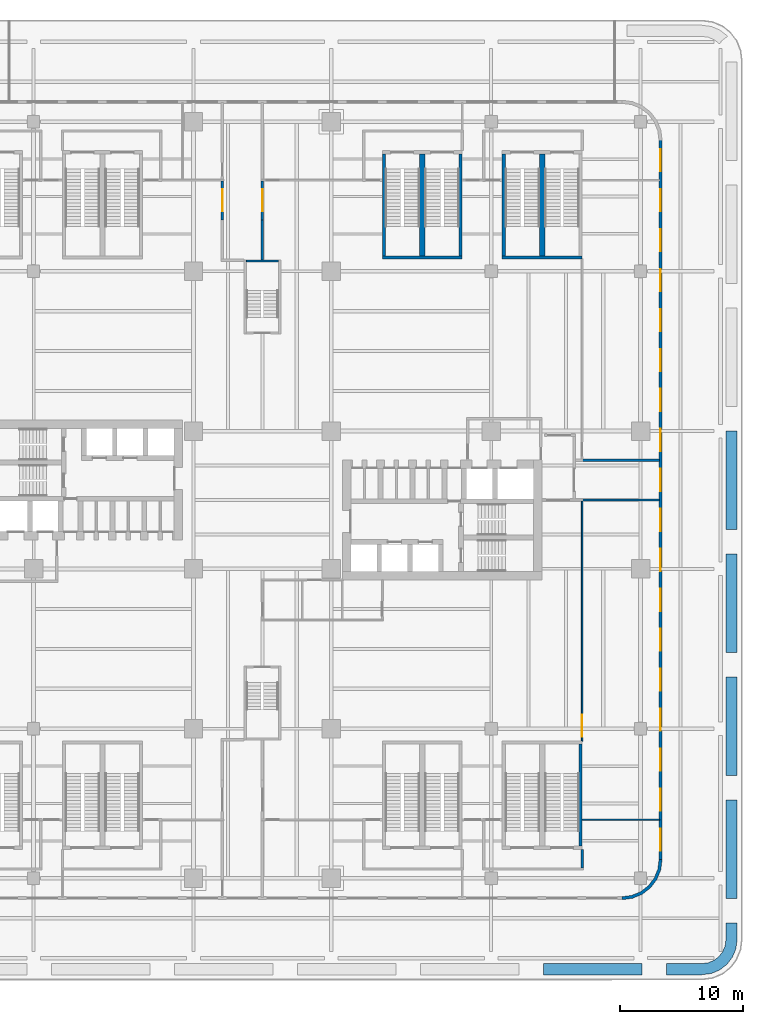
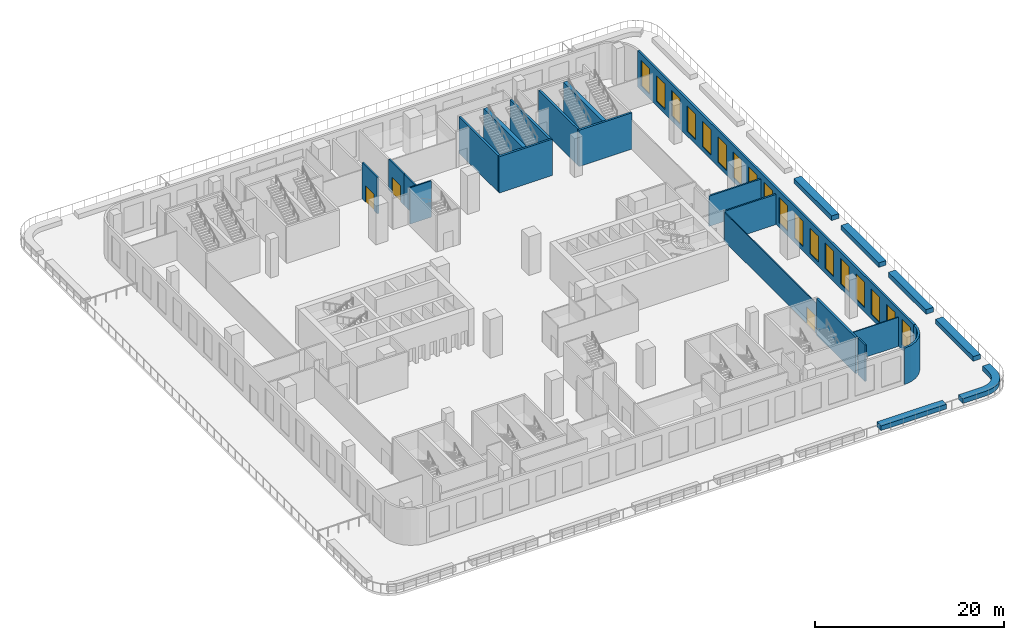
# One storey, part 11 of 17: 25 walls, 18 windows, 3 doors, 21 openings.
"""IFC4 building model written with IfcOpenShell, lengths in metres."""

from ifc_helpers import new_model, si_unit, direction, frame, frame_2d, origin, place, context, subcontext, project, spatial, polyline, rectangle, outline, extrude, source, transform, mapped, material, layer, layer_set, type_object, element, fill, save


model = new_model("IFC4")

# Units and contexts
model_context = context("Model", 3, precision=1e-05, world=origin(), true_north=direction((0.0, 1.0)))
body_context = subcontext(model_context, "Body", "Model", "MODEL_VIEW")
ifc_project = project(units=[si_unit("LENGTHUNIT", "METRE"), si_unit("AREAUNIT", "SQUARE_METRE"), si_unit("VOLUMEUNIT", "CUBIC_METRE"), si_unit("PLANEANGLEUNIT", "RADIAN"), si_unit("MASSUNIT", "GRAM", prefix="KILO")], contexts=[model_context])

# Site, building, storey
site_placement = place(None, origin())
site = spatial("IfcSite", under=ifc_project, at=site_placement, CompositionType="ELEMENT")
building_placement = place(site_placement, origin())
building = spatial("IfcBuilding", under=site, at=building_placement, Name="Trellis Farm Tower", CompositionType="ELEMENT")
storey_placement = place(building_placement, frame((0.0, 0.0, 24.0)))
storey = spatial("IfcBuildingStorey", under=building, at=storey_placement, Name="L04", CompositionType="ELEMENT", Elevation=24.0)

# Walls
ifc_material_1 = material(Name="Sandstone faced insulated wall", Category="masonry")
ifc_layer_1 = layer(ifc_material_1, 0.25)
ifc_layer_set_1 = layer_set([ifc_layer_1], Name="STONE CLAD EXTERNAL WALL 250")
wall_type_1 = type_object("IfcWallType", Name="STONE CLAD EXTERNAL WALL 250", PredefinedType="SOLIDWALL", material=ifc_layer_set_1)
placement = place(storey_placement, origin())
element("IfcWall", 1, at=placement, inside=storey, type_object=wall_type_1, Name="EW5 C04", PredefinedType="SOLIDWALL", context=body_context, shape_type="SweptSolid", body=[
    extrude(outline(polyline([(29.25, -32.5), (30.091064453125, -32.38916015625), (30.875, -32.064697265625), (31.548095703125, -31.548095703125), (32.064697265625, -30.875), (32.38916015625, -30.091064453125), (32.5, -29.25), (32.25, -29.233642578125), (32.145751953125, -30.02587890625), (31.84619140625, -30.7490234375), (31.369873046875, -31.369873046875), (30.7490234375, -31.84619140625), (30.02587890625, -32.145751953125), (29.233642578125, -32.25), (29.25, -32.5)])), origin(), (0.0, 0.0, 1.0), 4.699951171875),
])
ifc_material_2 = material(Name="Sandstone faced masonry planter", Category="masonry")
ifc_layer_2 = layer(ifc_material_2, 0.89990234375)
ifc_layer_set_2 = layer_set([ifc_layer_2], Name="TERRACE PLANTER BED 900")
wall_type_2 = type_object("IfcWallType", Name="TERRACE PLANTER BED 900", PredefinedType="USERDEFINED", material=ifc_layer_set_2)
element("IfcWall", 2, at=placement, inside=storey, type_object=wall_type_2, Name="PLANTER bed", ObjectType="PLANTER", PredefinedType="USERDEFINED", context=body_context, shape_type="SweptSolid", body=[
    extrude(outline(polyline([(22.847412109375, -37.699951171875), (30.847412109375, -37.699951171875), (30.847412109375, -38.60009765625), (22.847412109375, -38.60009765625), (22.847412109375, -37.699951171875)])), origin(), (0.0, 0.0, 1.0), 0.60009765625),
])
element("IfcWall", 3, at=placement, inside=storey, type_object=wall_type_2, Name="PLANTER bed", ObjectType="PLANTER", PredefinedType="USERDEFINED", context=body_context, shape_type="SweptSolid", body=[
    extrude(outline(polyline([(38.49951171875, -36.48681640625), (38.215087890625, -37.17333984375), (37.7626953125, -37.7626953125), (37.17333984375, -38.215087890625), (36.48681640625, -38.49951171875), (35.723876953125, -38.60009765625), (32.847412109375, -38.60009765625), (32.847412109375, -37.699951171875), (35.664794921875, -37.699951171875), (36.251708984375, -37.622802734375), (36.719482421875, -37.428955078125), (37.120849609375, -37.120849609375), (37.428955078125, -36.719482421875), (37.622802734375, -36.251708984375), (37.699951171875, -35.664794921875), (37.699951171875, -34.4013671875), (38.60009765625, -34.4013671875), (38.60009765625, -35.723876953125), (38.49951171875, -36.48681640625)])), origin(), (0.0, 0.0, 1.0), 0.60009765625),
])
element("IfcWall", 4, at=placement, inside=storey, type_object=wall_type_2, Name="PLANTER bed", ObjectType="PLANTER", PredefinedType="USERDEFINED", context=body_context, shape_type="SweptSolid", body=[
    extrude(outline(polyline([(37.699951171875, -32.4013671875), (37.699951171875, -24.4013671875), (38.60009765625, -24.4013671875), (38.60009765625, -32.4013671875), (37.699951171875, -32.4013671875)])), origin(), (0.0, 0.0, 1.0), 0.60009765625),
])
element("IfcWall", 5, at=placement, inside=storey, type_object=wall_type_2, Name="PLANTER bed", ObjectType="PLANTER", PredefinedType="USERDEFINED", context=body_context, shape_type="SweptSolid", body=[
    extrude(outline(polyline([(37.699951171875, -22.4013671875), (37.699951171875, -14.4013671875), (38.60009765625, -14.4013671875), (38.60009765625, -22.4013671875), (37.699951171875, -22.4013671875)])), origin(), (0.0, 0.0, 1.0), 0.60009765625),
])
element("IfcWall", 6, at=placement, inside=storey, type_object=wall_type_2, Name="PLANTER bed", ObjectType="PLANTER", PredefinedType="USERDEFINED", context=body_context, shape_type="SweptSolid", body=[
    extrude(outline(polyline([(37.699951171875, -12.4013671875), (37.699951171875, -4.4013671875), (38.60009765625, -4.4013671875), (38.60009765625, -12.4013671875), (37.699951171875, -12.4013671875)])), origin(), (0.0, 0.0, 1.0), 0.60009765625),
])
element("IfcWall", 7, at=placement, inside=storey, type_object=wall_type_2, Name="PLANTER bed", ObjectType="PLANTER", PredefinedType="USERDEFINED", context=body_context, shape_type="SweptSolid", body=[
    extrude(outline(polyline([(37.699951171875, -2.4013671875), (37.699951171875, 5.5986328125), (38.60009765625, 5.5986328125), (38.60009765625, -2.4013671875), (37.699951171875, -2.4013671875)])), origin(), (0.0, 0.0, 1.0), 0.60009765625),
])
ifc_material_3 = material(Name="Concrete C80/95", Category="concrete")
ifc_layer_3 = layer(ifc_material_3, 0.14990234375)
ifc_layer_set_3 = layer_set([ifc_layer_3], Name="CORE STAIR ENCLOSURE WALL 150 CONCRETE C80/95")
wall_type_3 = type_object("IfcWallType", Name="CORE STAIR ENCLOSURE WALL 150 CONCRETE C80/95", PredefinedType="SHEAR", material=ifc_layer_set_3)
shared_shape_1 = source(origin(), body_context, "Body", "SweptSolid", [
    extrude(rectangle(XDim=2.60009765625, YDim=0.14990234375, at=frame_2d((1.300048828125, 0.0))), origin(), (0.0, 0.0, 1.0), 4.699951171875),
])
wall_8_placement = place(storey_placement, frame((-1.300048828125, 19.425048828125, 0.0), z_axis=(0.0, 0.0, 1.0), x_axis=(1.0, 0.0, 0.0)))
element("IfcWall", 8, at=wall_8_placement, inside=storey, type_object=wall_type_3, Name="Stair enclosure wall", PredefinedType="SHEAR", context=body_context, shape_type="MappedRepresentation", body=[
    mapped(shared_shape_1, transform((0.0, 0.0, 0.0))),
])
ifc_layer_4 = layer(ifc_material_3, 0.25)
ifc_layer_set_4 = layer_set([ifc_layer_4], Name="CORE STAIR ENCLOSURE WALL 250 CONCRETE C80/95")
wall_type_4 = type_object("IfcWallType", Name="CORE STAIR ENCLOSURE WALL 250 CONCRETE C80/95", PredefinedType="SHEAR", material=ifc_layer_set_4)
shared_shape_2 = source(origin(), body_context, "Body", "SweptSolid", [
    extrude(rectangle(XDim=6.5, YDim=0.25, at=frame_2d((3.25, 0.0))), origin(), (0.0, 0.0, 1.0), 4.699951171875),
])
for number, where, z_axis, x_axis, name in (
    (9, (9.75, 19.72509765625, 0.0), (0.0, 0.0, 1.0), (1.0, 0.0, 0.0), "Podium stair enclosure wall"),
    (10, (19.5, 19.72509765625, 0.0), (0.0, 0.0, 1.0), (1.0, 0.0, 0.0), "Podium stair enclosure wall"),
):
    element("IfcWall", number, at=place(storey_placement, frame(where, z_axis=z_axis, x_axis=x_axis)), inside=storey, type_object=wall_type_4, Name=name, PredefinedType="SHEAR", context=body_context, shape_type="MappedRepresentation", body=[
        mapped(shared_shape_2, transform((0.0, 0.0, 0.0))),
    ])
shared_shape_3 = source(origin(), body_context, "Body", "SweptSolid", [
    extrude(rectangle(XDim=8.2998046875, YDim=0.25, at=frame_2d((4.14990234375, 0.0))), origin(), (0.0, 0.0, 1.0), 4.699951171875),
])
for number, where, z_axis, x_axis, name in (
    (11, (9.875, 19.85009765625, 0.0), (0.0, 0.0, 1.0), (0.0, 1.0, 0.0), "Podium stair enclosure wall"),
    (12, (16.125, 19.85009765625, 0.0), (0.0, 0.0, 1.0), (0.0, 1.0, 0.0), "Podium stair enclosure wall"),
    (13, (19.625, 19.85009765625, 0.0), (0.0, 0.0, 1.0), (0.0, 1.0, 0.0), "Podium stair enclosure wall"),
    (14, (25.875, -28.14990234375, 0.0), (0.0, 0.0, 1.0), (0.0, 1.0, 0.0), "Podium stair enclosure wall"),
):
    element("IfcWall", number, at=place(storey_placement, frame(where, z_axis=z_axis, x_axis=x_axis)), inside=storey, type_object=wall_type_4, Name=name, PredefinedType="SHEAR", context=body_context, shape_type="MappedRepresentation", body=[
        mapped(shared_shape_3, transform((0.0, 0.0, 0.0))),
    ])
ifc_layer_5 = layer(ifc_material_3, 0.43994140625)
ifc_layer_set_5 = layer_set([ifc_layer_5], Name="CORE STAIR ENCLOSURE WALL 440 CONCRETE C80/95")
wall_type_5 = type_object("IfcWallType", Name="CORE STAIR ENCLOSURE WALL 440 CONCRETE C80/95", PredefinedType="SHEAR", material=ifc_layer_set_5)
shared_shape_4 = source(origin(), body_context, "Body", "SweptSolid", [
    extrude(rectangle(XDim=8.2998046875, YDim=0.43994140625, at=frame_2d((4.14990234375, 0.0))), origin(), (0.0, 0.0, 1.0), 4.699951171875),
])
for number, where, z_axis, x_axis, name in (
    (15, (13.0, 19.85009765625, 0.0), (0.0, 0.0, 1.0), (0.0, 1.0, 0.0), "Podium stair enclosure wall"),
    (16, (22.75, 19.85009765625, 0.0), (0.0, 0.0, 1.0), (0.0, 1.0, 0.0), "Podium stair enclosure wall"),
):
    element("IfcWall", number, at=place(storey_placement, frame(where, z_axis=z_axis, x_axis=x_axis)), inside=storey, type_object=wall_type_5, Name=name, PredefinedType="SHEAR", context=body_context, shape_type="MappedRepresentation", body=[
        mapped(shared_shape_4, transform((0.0, 0.0, 0.0))),
    ])

# Wall, openings, windows
shared_shape_5 = source(origin(), body_context, "Body", "SweptSolid", [
    extrude(rectangle(XDim=58.5, YDim=0.25, at=frame_2d((29.25, 0.0))), origin(), (0.0, 0.0, 1.0), 4.699951171875),
])
wall_9_placement = place(storey_placement, frame((32.375, -29.25, 0.0), z_axis=(0.0, 0.0, 1.0), x_axis=(0.0, 1.0, 0.0)))
wall_9 = element("IfcWall", 17, at=wall_9_placement, inside=storey, type_object=wall_type_1, Name="EW5 F01", PredefinedType="SOLIDWALL", context=body_context, shape_type="MappedRepresentation", body=[
    mapped(shared_shape_5, transform((0.0, 0.0, 0.0))),
])
shared_shape_6 = source(origin(), body_context, "Body", "SweptSolid", [
    extrude(rectangle(XDim=1.800048828125, YDim=3.300048828125, at=frame_2d((0.89990234375, 1.64990234375))), frame((0.0, 0.135009765625, 0.0), z_axis=(0.0, -1.0, 0.0), x_axis=(1.0, 0.0, 0.0)), (0.0, 0.0, 1.0), 0.27001953125),
])
opening_1_placement = place(wall_9_placement, frame((0.72509765625, 0.0, 0.60009765625)))
opening_1 = element("IfcOpeningElement", 18, at=opening_1_placement, cuts=wall_9, Name="Opening WN4", PredefinedType="OPENING", context=body_context, shape_type="MappedRepresentation", body=[
    mapped(shared_shape_6, transform((0.0, 0.0, 0.0))),
])
opening_2_placement = place(wall_9_placement, frame((3.97509765625, 0.0, 0.60009765625)))
opening_2 = element("IfcOpeningElement", 19, at=opening_2_placement, cuts=wall_9, Name="Opening WN4", PredefinedType="OPENING", context=body_context, shape_type="MappedRepresentation", body=[
    mapped(shared_shape_6, transform((0.0, 0.0, 0.0))),
])
opening_3_placement = place(wall_9_placement, frame((7.22509765625, 0.0, 0.60009765625)))
opening_3 = element("IfcOpeningElement", 20, at=opening_3_placement, cuts=wall_9, Name="Opening WN4", PredefinedType="OPENING", context=body_context, shape_type="MappedRepresentation", body=[
    mapped(shared_shape_6, transform((0.0, 0.0, 0.0))),
])
opening_4_placement = place(wall_9_placement, frame((10.47509765625, 0.0, 0.60009765625)))
opening_4 = element("IfcOpeningElement", 21, at=opening_4_placement, cuts=wall_9, Name="Opening WN4", PredefinedType="OPENING", context=body_context, shape_type="MappedRepresentation", body=[
    mapped(shared_shape_6, transform((0.0, 0.0, 0.0))),
])
opening_5_placement = place(wall_9_placement, frame((13.72509765625, 0.0, 0.60009765625)))
opening_5 = element("IfcOpeningElement", 22, at=opening_5_placement, cuts=wall_9, Name="Opening WN4", PredefinedType="OPENING", context=body_context, shape_type="MappedRepresentation", body=[
    mapped(shared_shape_6, transform((0.0, 0.0, 0.0))),
])
opening_6_placement = place(wall_9_placement, frame((16.97509765625, 0.0, 0.60009765625)))
opening_6 = element("IfcOpeningElement", 23, at=opening_6_placement, cuts=wall_9, Name="Opening WN4", PredefinedType="OPENING", context=body_context, shape_type="MappedRepresentation", body=[
    mapped(shared_shape_6, transform((0.0, 0.0, 0.0))),
])
opening_7_placement = place(wall_9_placement, frame((20.22509765625, 0.0, 0.60009765625)))
opening_7 = element("IfcOpeningElement", 24, at=opening_7_placement, cuts=wall_9, Name="Opening WN4", PredefinedType="OPENING", context=body_context, shape_type="MappedRepresentation", body=[
    mapped(shared_shape_6, transform((0.0, 0.0, 0.0))),
])
opening_8_placement = place(wall_9_placement, frame((23.47509765625, 0.0, 0.60009765625)))
opening_8 = element("IfcOpeningElement", 25, at=opening_8_placement, cuts=wall_9, Name="Opening WN4", PredefinedType="OPENING", context=body_context, shape_type="MappedRepresentation", body=[
    mapped(shared_shape_6, transform((0.0, 0.0, 0.0))),
])
opening_9_placement = place(wall_9_placement, frame((26.72509765625, 0.0, 0.60009765625)))
opening_9 = element("IfcOpeningElement", 26, at=opening_9_placement, cuts=wall_9, Name="Opening WN4", PredefinedType="OPENING", context=body_context, shape_type="MappedRepresentation", body=[
    mapped(shared_shape_6, transform((0.0, 0.0, 0.0))),
])
opening_10_placement = place(wall_9_placement, frame((29.97509765625, 0.0, 0.60009765625)))
opening_10 = element("IfcOpeningElement", 27, at=opening_10_placement, cuts=wall_9, Name="Opening WN4", PredefinedType="OPENING", context=body_context, shape_type="MappedRepresentation", body=[
    mapped(shared_shape_6, transform((0.0, 0.0, 0.0))),
])
opening_11_placement = place(wall_9_placement, frame((33.22509765625, 0.0, 0.60009765625)))
opening_11 = element("IfcOpeningElement", 28, at=opening_11_placement, cuts=wall_9, Name="Opening WN4", PredefinedType="OPENING", context=body_context, shape_type="MappedRepresentation", body=[
    mapped(shared_shape_6, transform((0.0, 0.0, 0.0))),
])
opening_12_placement = place(wall_9_placement, frame((36.47509765625, 0.0, 0.60009765625)))
opening_12 = element("IfcOpeningElement", 29, at=opening_12_placement, cuts=wall_9, Name="Opening WN4", PredefinedType="OPENING", context=body_context, shape_type="MappedRepresentation", body=[
    mapped(shared_shape_6, transform((0.0, 0.0, 0.0))),
])
opening_13_placement = place(wall_9_placement, frame((39.72509765625, 0.0, 0.60009765625)))
opening_13 = element("IfcOpeningElement", 30, at=opening_13_placement, cuts=wall_9, Name="Opening WN4", PredefinedType="OPENING", context=body_context, shape_type="MappedRepresentation", body=[
    mapped(shared_shape_6, transform((0.0, 0.0, 0.0))),
])
opening_14_placement = place(wall_9_placement, frame((42.97509765625, 0.0, 0.60009765625)))
opening_14 = element("IfcOpeningElement", 31, at=opening_14_placement, cuts=wall_9, Name="Opening WN4", PredefinedType="OPENING", context=body_context, shape_type="MappedRepresentation", body=[
    mapped(shared_shape_6, transform((0.0, 0.0, 0.0))),
])
opening_15_placement = place(wall_9_placement, frame((46.22509765625, 0.0, 0.60009765625)))
opening_15 = element("IfcOpeningElement", 32, at=opening_15_placement, cuts=wall_9, Name="Opening WN4", PredefinedType="OPENING", context=body_context, shape_type="MappedRepresentation", body=[
    mapped(shared_shape_6, transform((0.0, 0.0, 0.0))),
])
opening_16_placement = place(wall_9_placement, frame((49.47509765625, 0.0, 0.60009765625)))
opening_16 = element("IfcOpeningElement", 33, at=opening_16_placement, cuts=wall_9, Name="Opening WN4", PredefinedType="OPENING", context=body_context, shape_type="MappedRepresentation", body=[
    mapped(shared_shape_6, transform((0.0, 0.0, 0.0))),
])
opening_17_placement = place(wall_9_placement, frame((52.72509765625, 0.0, 0.60009765625)))
opening_17 = element("IfcOpeningElement", 34, at=opening_17_placement, cuts=wall_9, Name="Opening WN4", PredefinedType="OPENING", context=body_context, shape_type="MappedRepresentation", body=[
    mapped(shared_shape_6, transform((0.0, 0.0, 0.0))),
])
opening_18_placement = place(wall_9_placement, frame((55.97509765625, 0.0, 0.60009765625)))
opening_18 = element("IfcOpeningElement", 35, at=opening_18_placement, cuts=wall_9, Name="Opening WN4", PredefinedType="OPENING", context=body_context, shape_type="MappedRepresentation", body=[
    mapped(shared_shape_6, transform((0.0, 0.0, 0.0))),
])
ifc_material_4 = material(Name="Clear insulated glass", Category="glass")
window_type = type_object("IfcWindowType", Name="PODIUM WINDOW 1800x3300", PartitioningType="SINGLE_PANEL", PredefinedType="WINDOW", material=ifc_material_4)
shared_shape_7 = source(origin(), body_context, "Body", "SweptSolid", [
    extrude(rectangle(XDim=1.800048828125, YDim=3.300048828125, at=frame_2d((0.89990234375, 1.64990234375))), frame((0.0, 0.030029296875, 0.0), z_axis=(0.0, -1.0, 0.0), x_axis=(1.0, 0.0, 0.0)), (0.0, 0.0, 1.0), 0.06005859375),
])
window_1_placement = place(opening_1_placement, origin())
window_1 = element("IfcWindow", 36, at=window_1_placement, inside=storey, type_object=window_type, Name="WN4 001", OverallHeight=3.300048828125, OverallWidth=1.800048828125, PartitioningType="SINGLE_PANEL", PredefinedType="WINDOW", context=body_context, shape_type="MappedRepresentation", body=[
    mapped(shared_shape_7, transform((0.0, 0.0, 0.0))),
])
fill(opening_1, window_1)
window_2_placement = place(opening_2_placement, origin())
window_2 = element("IfcWindow", 37, at=window_2_placement, inside=storey, type_object=window_type, Name="WN4 002", OverallHeight=3.300048828125, OverallWidth=1.800048828125, PartitioningType="SINGLE_PANEL", PredefinedType="WINDOW", context=body_context, shape_type="MappedRepresentation", body=[
    mapped(shared_shape_7, transform((0.0, 0.0, 0.0))),
])
fill(opening_2, window_2)
window_3_placement = place(opening_3_placement, origin())
window_3 = element("IfcWindow", 38, at=window_3_placement, inside=storey, type_object=window_type, Name="WN4 003", OverallHeight=3.300048828125, OverallWidth=1.800048828125, PartitioningType="SINGLE_PANEL", PredefinedType="WINDOW", context=body_context, shape_type="MappedRepresentation", body=[
    mapped(shared_shape_7, transform((0.0, 0.0, 0.0))),
])
fill(opening_3, window_3)
window_4_placement = place(opening_4_placement, origin())
window_4 = element("IfcWindow", 39, at=window_4_placement, inside=storey, type_object=window_type, Name="WN4 004", OverallHeight=3.300048828125, OverallWidth=1.800048828125, PartitioningType="SINGLE_PANEL", PredefinedType="WINDOW", context=body_context, shape_type="MappedRepresentation", body=[
    mapped(shared_shape_7, transform((0.0, 0.0, 0.0))),
])
fill(opening_4, window_4)
window_5_placement = place(opening_5_placement, origin())
window_5 = element("IfcWindow", 40, at=window_5_placement, inside=storey, type_object=window_type, Name="WN4 005", OverallHeight=3.300048828125, OverallWidth=1.800048828125, PartitioningType="SINGLE_PANEL", PredefinedType="WINDOW", context=body_context, shape_type="MappedRepresentation", body=[
    mapped(shared_shape_7, transform((0.0, 0.0, 0.0))),
])
fill(opening_5, window_5)
window_6_placement = place(opening_6_placement, origin())
window_6 = element("IfcWindow", 41, at=window_6_placement, inside=storey, type_object=window_type, Name="WN4 006", OverallHeight=3.300048828125, OverallWidth=1.800048828125, PartitioningType="SINGLE_PANEL", PredefinedType="WINDOW", context=body_context, shape_type="MappedRepresentation", body=[
    mapped(shared_shape_7, transform((0.0, 0.0, 0.0))),
])
fill(opening_6, window_6)
window_7_placement = place(opening_7_placement, origin())
window_7 = element("IfcWindow", 42, at=window_7_placement, inside=storey, type_object=window_type, Name="WN4 007", OverallHeight=3.300048828125, OverallWidth=1.800048828125, PartitioningType="SINGLE_PANEL", PredefinedType="WINDOW", context=body_context, shape_type="MappedRepresentation", body=[
    mapped(shared_shape_7, transform((0.0, 0.0, 0.0))),
])
fill(opening_7, window_7)
window_8_placement = place(opening_8_placement, origin())
window_8 = element("IfcWindow", 43, at=window_8_placement, inside=storey, type_object=window_type, Name="WN4 008", OverallHeight=3.300048828125, OverallWidth=1.800048828125, PartitioningType="SINGLE_PANEL", PredefinedType="WINDOW", context=body_context, shape_type="MappedRepresentation", body=[
    mapped(shared_shape_7, transform((0.0, 0.0, 0.0))),
])
fill(opening_8, window_8)
window_9_placement = place(opening_9_placement, origin())
window_9 = element("IfcWindow", 44, at=window_9_placement, inside=storey, type_object=window_type, Name="WN4 009", OverallHeight=3.300048828125, OverallWidth=1.800048828125, PartitioningType="SINGLE_PANEL", PredefinedType="WINDOW", context=body_context, shape_type="MappedRepresentation", body=[
    mapped(shared_shape_7, transform((0.0, 0.0, 0.0))),
])
fill(opening_9, window_9)
window_10_placement = place(opening_10_placement, origin())
window_10 = element("IfcWindow", 45, at=window_10_placement, inside=storey, type_object=window_type, Name="WN4 010", OverallHeight=3.300048828125, OverallWidth=1.800048828125, PartitioningType="SINGLE_PANEL", PredefinedType="WINDOW", context=body_context, shape_type="MappedRepresentation", body=[
    mapped(shared_shape_7, transform((0.0, 0.0, 0.0))),
])
fill(opening_10, window_10)
window_11_placement = place(opening_11_placement, origin())
window_11 = element("IfcWindow", 46, at=window_11_placement, inside=storey, type_object=window_type, Name="WN4 011", OverallHeight=3.300048828125, OverallWidth=1.800048828125, PartitioningType="SINGLE_PANEL", PredefinedType="WINDOW", context=body_context, shape_type="MappedRepresentation", body=[
    mapped(shared_shape_7, transform((0.0, 0.0, 0.0))),
])
fill(opening_11, window_11)
window_12_placement = place(opening_12_placement, origin())
window_12 = element("IfcWindow", 47, at=window_12_placement, inside=storey, type_object=window_type, Name="WN4 012", OverallHeight=3.300048828125, OverallWidth=1.800048828125, PartitioningType="SINGLE_PANEL", PredefinedType="WINDOW", context=body_context, shape_type="MappedRepresentation", body=[
    mapped(shared_shape_7, transform((0.0, 0.0, 0.0))),
])
fill(opening_12, window_12)
window_13_placement = place(opening_13_placement, origin())
window_13 = element("IfcWindow", 48, at=window_13_placement, inside=storey, type_object=window_type, Name="WN4 013", OverallHeight=3.300048828125, OverallWidth=1.800048828125, PartitioningType="SINGLE_PANEL", PredefinedType="WINDOW", context=body_context, shape_type="MappedRepresentation", body=[
    mapped(shared_shape_7, transform((0.0, 0.0, 0.0))),
])
fill(opening_13, window_13)
window_14_placement = place(opening_14_placement, origin())
window_14 = element("IfcWindow", 49, at=window_14_placement, inside=storey, type_object=window_type, Name="WN4 014", OverallHeight=3.300048828125, OverallWidth=1.800048828125, PartitioningType="SINGLE_PANEL", PredefinedType="WINDOW", context=body_context, shape_type="MappedRepresentation", body=[
    mapped(shared_shape_7, transform((0.0, 0.0, 0.0))),
])
fill(opening_14, window_14)
window_15_placement = place(opening_15_placement, origin())
window_15 = element("IfcWindow", 50, at=window_15_placement, inside=storey, type_object=window_type, Name="WN4 015", OverallHeight=3.300048828125, OverallWidth=1.800048828125, PartitioningType="SINGLE_PANEL", PredefinedType="WINDOW", context=body_context, shape_type="MappedRepresentation", body=[
    mapped(shared_shape_7, transform((0.0, 0.0, 0.0))),
])
fill(opening_15, window_15)
window_16_placement = place(opening_16_placement, origin())
window_16 = element("IfcWindow", 51, at=window_16_placement, inside=storey, type_object=window_type, Name="WN4 016", OverallHeight=3.300048828125, OverallWidth=1.800048828125, PartitioningType="SINGLE_PANEL", PredefinedType="WINDOW", context=body_context, shape_type="MappedRepresentation", body=[
    mapped(shared_shape_7, transform((0.0, 0.0, 0.0))),
])
fill(opening_16, window_16)
window_17_placement = place(opening_17_placement, origin())
window_17 = element("IfcWindow", 52, at=window_17_placement, inside=storey, type_object=window_type, Name="WN4 017", OverallHeight=3.300048828125, OverallWidth=1.800048828125, PartitioningType="SINGLE_PANEL", PredefinedType="WINDOW", context=body_context, shape_type="MappedRepresentation", body=[
    mapped(shared_shape_7, transform((0.0, 0.0, 0.0))),
])
fill(opening_17, window_17)
window_18_placement = place(opening_18_placement, origin())
window_18 = element("IfcWindow", 53, at=window_18_placement, inside=storey, type_object=window_type, Name="WN4 018", OverallHeight=3.300048828125, OverallWidth=1.800048828125, PartitioningType="SINGLE_PANEL", PredefinedType="WINDOW", context=body_context, shape_type="MappedRepresentation", body=[
    mapped(shared_shape_7, transform((0.0, 0.0, 0.0))),
])
fill(opening_18, window_18)

# Wall, opening, door
ifc_material_5 = material(Name="Lightweight blockwork, plastered", Category="masonry")
ifc_layer_6 = layer(ifc_material_5, 0.199951171875)
ifc_layer_set_6 = layer_set([ifc_layer_6], Name="BLOCK WALL 200 EI 120")
wall_type_6 = type_object("IfcWallType", Name="BLOCK WALL 200 EI 120", PredefinedType="PARTITIONING", material=ifc_layer_set_6)
shared_shape_8 = source(origin(), body_context, "Body", "SweptSolid", [
    extrude(rectangle(XDim=3.1875, YDim=0.199951171875, at=frame_2d((1.59375, 0.0))), origin(), (0.0, 0.0, 1.0), 4.699951171875),
])
wall_10_placement = place(storey_placement, frame((-3.25, 22.75, 0.0), z_axis=(0.0, 0.0, 1.0), x_axis=(0.0, 1.0, 0.0)))
wall_10 = element("IfcWall", 54, at=wall_10_placement, inside=storey, type_object=wall_type_6, Name="Partition PW3", PredefinedType="PARTITIONING", context=body_context, shape_type="MappedRepresentation", body=[
    mapped(shared_shape_8, transform((0.0, 0.0, 0.0))),
])
shared_shape_9 = source(origin(), body_context, "Body", "SweptSolid", [
    extrude(rectangle(XDim=1.800048828125, YDim=2.10009765625, at=frame_2d((0.89990234375, 1.050048828125))), frame((0.0, 0.110107421875, 0.0), z_axis=(0.0, -1.0, 0.0), x_axis=(1.0, 0.0, 0.0)), (0.0, 0.0, 1.0), 0.22021484375),
])
opening_19_placement = place(wall_10_placement, frame((0.72509765625, 0.0, 0.0)))
opening_19 = element("IfcOpeningElement", 55, at=opening_19_placement, cuts=wall_10, Name="Opening D409", PredefinedType="OPENING", context=body_context, shape_type="MappedRepresentation", body=[
    mapped(shared_shape_9, transform((0.0, 0.0, 0.0))),
])
ifc_material_6 = material(Name="Fire-rated timber door leaf in a hollow metal frame", Category="wood")
door_type_1 = type_object("IfcDoorType", Name="DOOR PAIR 1800x2100 FD60", OperationType="NOTDEFINED", PredefinedType="DOOR", material=ifc_material_6)
shared_shape_10 = source(origin(), body_context, "Body", "SweptSolid", [
    extrude(rectangle(XDim=1.800048828125, YDim=2.10009765625, at=frame_2d((0.89990234375, 1.050048828125))), frame((0.0, 0.02490234375, 0.0), z_axis=(0.0, -1.0, 0.0), x_axis=(1.0, 0.0, 0.0)), (0.0, 0.0, 1.0), 0.050048828125),
])
door_1_placement = place(opening_19_placement, origin())
door_1 = element("IfcDoor", 56, at=door_1_placement, inside=storey, type_object=door_type_1, Name="Door D409", OperationType="DOUBLE_DOOR_SINGLE_SWING", OverallHeight=2.10009765625, OverallWidth=1.800048828125, PredefinedType="DOOR", context=body_context, shape_type="MappedRepresentation", body=[
    mapped(shared_shape_10, transform((0.0, 0.0, 0.0))),
])
fill(opening_19, door_1)

shared_shape_11 = source(origin(), body_context, "Body", "SweptSolid", [
    extrude(rectangle(XDim=3.1875, YDim=0.199951171875, at=frame_2d((1.59375, 0.0))), origin(), (0.0, 0.0, 1.0), 3.996337890625),
])
wall_11_placement = place(storey_placement, frame((0.0, 25.9375, 0.0), z_axis=(0.0, 0.0, 1.0), x_axis=(0.0, -1.0, 0.0)))
wall_11 = element("IfcWall", 57, at=wall_11_placement, inside=storey, type_object=wall_type_6, Name="Partition PW3", PredefinedType="PARTITIONING", context=body_context, shape_type="MappedRepresentation", body=[
    mapped(shared_shape_11, transform((0.0, 0.0, 0.0))),
])
opening_20_placement = place(wall_11_placement, frame((0.66259765625, 0.0, 0.0)))
opening_20 = element("IfcOpeningElement", 58, at=opening_20_placement, cuts=wall_11, Name="Opening D410", PredefinedType="OPENING", context=body_context, shape_type="MappedRepresentation", body=[
    mapped(shared_shape_9, transform((0.0, 0.0, 0.0))),
])
door_2_placement = place(opening_20_placement, origin())
door_2 = element("IfcDoor", 59, at=door_2_placement, inside=storey, type_object=door_type_1, Name="Door D410", OperationType="DOUBLE_DOOR_SINGLE_SWING", OverallHeight=2.10009765625, OverallWidth=1.800048828125, PredefinedType="DOOR", context=body_context, shape_type="MappedRepresentation", body=[
    mapped(shared_shape_10, transform((0.0, 0.0, 0.0))),
])
fill(opening_20, door_2)

# Walls
shared_shape_12 = source(origin(), body_context, "Body", "SweptSolid", [
    extrude(rectangle(XDim=1.5, YDim=0.199951171875, at=frame_2d((0.75, 0.0))), origin(), (0.0, 0.0, 1.0), 4.699951171875),
])
wall_12_placement = place(storey_placement, frame((26.0, -28.39990234375, 0.0), z_axis=(0.0, 0.0, 1.0), x_axis=(0.0, -1.0, 0.0)))
element("IfcWall", 60, at=wall_12_placement, inside=storey, type_object=wall_type_6, Name="Partition PW3", PredefinedType="PARTITIONING", context=body_context, shape_type="MappedRepresentation", body=[
    mapped(shared_shape_12, transform((0.0, 0.0, 0.0))),
])
shared_shape_13 = source(origin(), body_context, "Body", "SweptSolid", [
    extrude(rectangle(XDim=3.25, YDim=0.199951171875, at=frame_2d((1.625, 0.0))), origin(), (0.0, 0.0, 1.0), 3.996337890625),
])
wall_13_placement = place(storey_placement, frame((0.0, 19.5, 0.0), z_axis=(0.0, 0.0, 1.0), x_axis=(0.0, 1.0, 0.0)))
element("IfcWall", 61, at=wall_13_placement, inside=storey, type_object=wall_type_6, Name="Partition PW3", PredefinedType="PARTITIONING", context=body_context, shape_type="MappedRepresentation", body=[
    mapped(shared_shape_13, transform((0.0, 0.0, 0.0))),
])

# Wall, opening, door
ifc_material_7 = material(Name="Plasterboard on steel studs, mineral wool", Category="steel")
ifc_layer_7 = layer(ifc_material_7, 0.125)
ifc_layer_set_7 = layer_set([ifc_layer_7], Name="PARTITION 125 STUD EI 60")
wall_type_7 = type_object("IfcWallType", Name="PARTITION 125 STUD EI 60", PredefinedType="PARTITIONING", material=ifc_layer_set_7)
shared_shape_14 = source(origin(), body_context, "Body", "SweptSolid", [
    extrude(rectangle(XDim=19.5, YDim=0.125, at=frame_2d((9.75, 0.0))), origin(), (0.0, 0.0, 1.0), 3.76171875),
])
wall_14_placement = place(storey_placement, frame((26.0, -0.10009765625, 0.0), z_axis=(0.0, 0.0, 1.0), x_axis=(0.0, -1.0, 0.0)))
wall_14 = element("IfcWall", 62, at=wall_14_placement, inside=storey, type_object=wall_type_7, Name="Partition PW1", PredefinedType="PARTITIONING", context=body_context, shape_type="MappedRepresentation", body=[
    mapped(shared_shape_14, transform((0.0, 0.0, 0.0))),
])
shared_shape_15 = source(origin(), body_context, "Body", "SweptSolid", [
    extrude(rectangle(XDim=1.800048828125, YDim=2.10009765625, at=frame_2d((0.89990234375, 1.050048828125))), frame((0.0, 0.072509765625, 0.0), z_axis=(0.0, -1.0, 0.0), x_axis=(1.0, 0.0, 0.0)), (0.0, 0.0, 1.0), 0.14501953125),
])
opening_21_placement = place(wall_14_placement, frame((17.35009765625, 0.0, 0.0)))
opening_21 = element("IfcOpeningElement", 63, at=opening_21_placement, cuts=wall_14, Name="Opening D202", PredefinedType="OPENING", context=body_context, shape_type="MappedRepresentation", body=[
    mapped(shared_shape_15, transform((0.0, 0.0, 0.0))),
])
door_type_2 = type_object("IfcDoorType", Name="DOOR PAIR 1800x2100 FD30S", OperationType="NOTDEFINED", PredefinedType="DOOR", material=ifc_material_6)
door_3_placement = place(opening_21_placement, origin())
door_3 = element("IfcDoor", 64, at=door_3_placement, inside=storey, type_object=door_type_2, Name="Door D202", OperationType="DOUBLE_DOOR_SINGLE_SWING", OverallHeight=2.10009765625, OverallWidth=1.800048828125, PredefinedType="DOOR", context=body_context, shape_type="MappedRepresentation", body=[
    mapped(shared_shape_10, transform((0.0, 0.0, 0.0))),
])
fill(opening_21, door_3)

# Walls
ifc_material_8 = material(Name="Plasterboard on steel studs", Category="steel")
ifc_layer_8 = layer(ifc_material_8, 0.10009765625)
ifc_layer_set_8 = layer_set([ifc_layer_8], Name="PARTITION 100 STUD EI 30")
wall_type_8 = type_object("IfcWallType", Name="PARTITION 100 STUD EI 30", PredefinedType="PARTITIONING", material=ifc_layer_set_8)
shared_shape_16 = source(origin(), body_context, "Body", "SweptSolid", [
    extrude(rectangle(XDim=6.300048828125, YDim=0.10009765625, at=frame_2d((3.14990234375, 0.0))), origin(), (0.0, 0.0, 1.0), 3.76171875),
])
wall_15_placement = place(storey_placement, frame((26.0, -26.0, 0.0), z_axis=(0.0, 0.0, 1.0), x_axis=(1.0, 0.0, 0.0)))
element("IfcWall", 65, at=wall_15_placement, inside=storey, type_object=wall_type_8, Name="Partition PW2", PredefinedType="PARTITIONING", context=body_context, shape_type="MappedRepresentation", body=[
    mapped(shared_shape_16, transform((0.0, 0.0, 0.0))),
])
shared_shape_17 = source(origin(), body_context, "Body", "SweptSolid", [
    extrude(rectangle(XDim=6.362548828125, YDim=0.199951171875, at=frame_2d((3.18115234375, 0.0))), origin(), (0.0, 0.0, 1.0), 3.917724609375),
])
for number, where, z_axis, x_axis, name in (
    (66, (32.300048828125, 0.0, 0.0), (0.0, 0.0, 1.0), (-1.0, 0.0, 0.0), "Partition PW3"),
    (67, (25.9375, 3.25, 0.0), (0.0, 0.0, 1.0), (1.0, 0.0, 0.0), "Partition PW3"),
):
    element("IfcWall", number, at=place(storey_placement, frame(where, z_axis=z_axis, x_axis=x_axis)), inside=storey, type_object=wall_type_6, Name=name, PredefinedType="PARTITIONING", context=body_context, shape_type="MappedRepresentation", body=[
        mapped(shared_shape_17, transform((0.0, 0.0, 0.0))),
    ])

save(model, "model.ifc")
